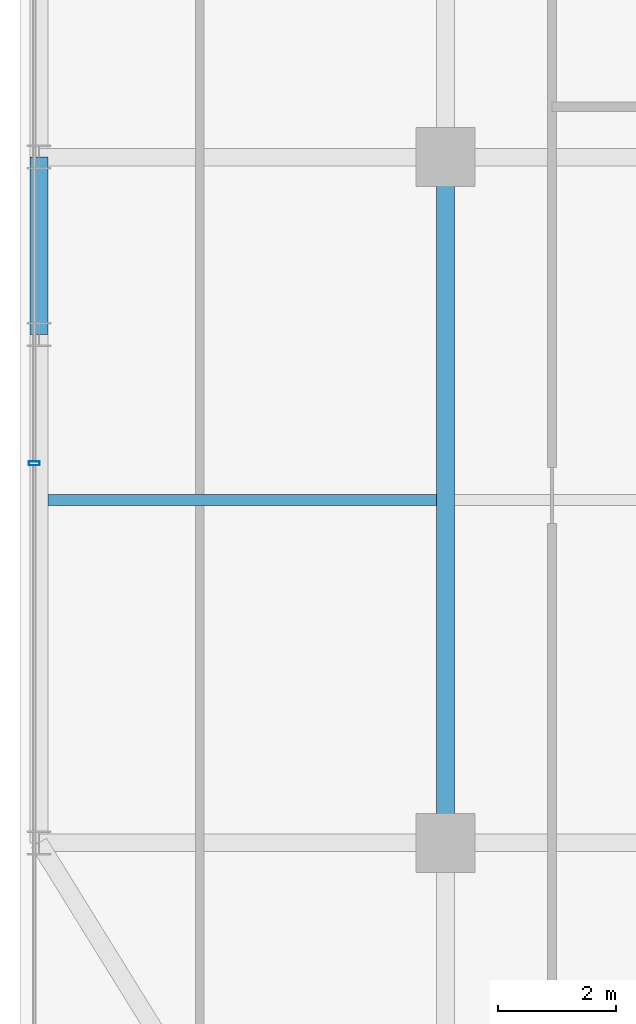
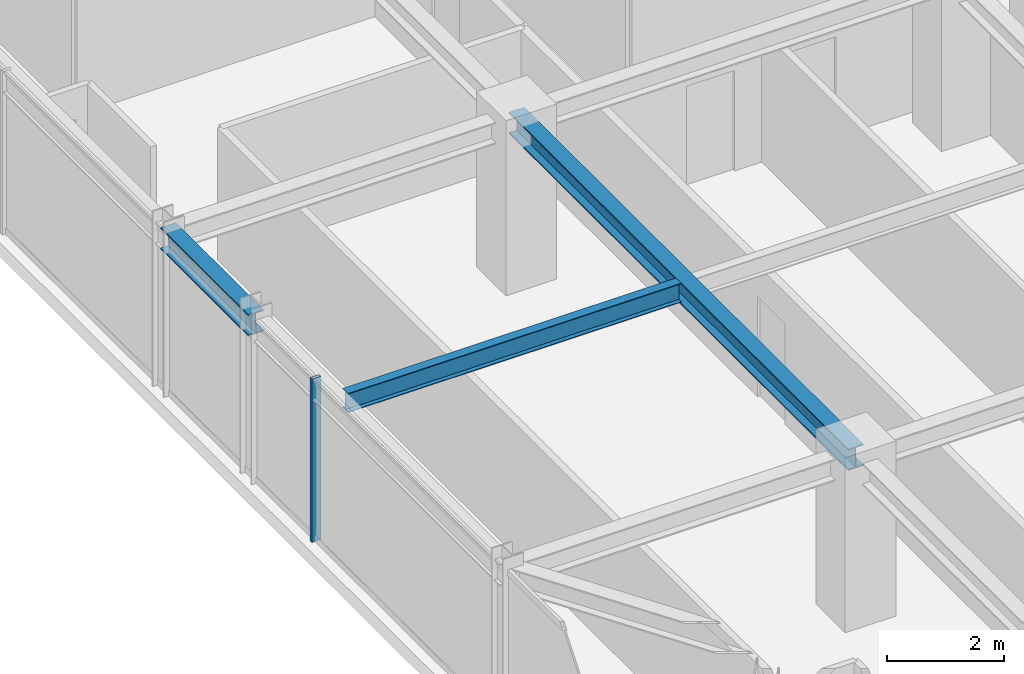
# One storey, part 8 of 34: 3 beams, 1 member, 1 element without a shape of its own.
"""IFC4 building model written with IfcOpenShell, lengths in metres."""

from ifc_helpers import new_model, si_unit, direction, frame, origin, origin_2d, place, context, subcontext, project, spatial, hollow_rectangle, i_section, extrude, source, transform, mapped, material, material_profile, profile_set, type_object, element, aggregate, save


model = new_model("IFC4")

# Units and contexts
model_context = context("Model", 3, precision=1e-05, world=origin(), true_north=direction((0.0, 1.0)))
body_context = subcontext(model_context, "Body", "Model", "MODEL_VIEW")
ifc_project = project(units=[si_unit("LENGTHUNIT", "METRE"), si_unit("AREAUNIT", "SQUARE_METRE"), si_unit("VOLUMEUNIT", "CUBIC_METRE"), si_unit("PLANEANGLEUNIT", "RADIAN"), si_unit("MASSUNIT", "GRAM", prefix="KILO")], contexts=[model_context])

# Site, building, storey
site_placement = place(None, origin())
site = spatial("IfcSite", under=ifc_project, at=site_placement, CompositionType="ELEMENT")
building_placement = place(site_placement, origin())
building = spatial("IfcBuilding", under=site, at=building_placement, Name="Nahalor Promenade Grand Hotel", CompositionType="ELEMENT")
storey_placement = place(building_placement, frame((0.0, 0.0, 208.60009765625)))
storey = spatial("IfcBuildingStorey", under=building, at=storey_placement, Name="L53", CompositionType="ELEMENT", Elevation=208.60009765625)

# Beams
ifc_material_1 = material(Name="Steel S355JR", Category="steel")
ifc_material_profile_1 = material_profile(ifc_material_1, i_section(OverallWidth=0.3, OverallDepth=0.45, WebThickness=0.014, FlangeThickness=0.026, at=origin_2d()), Name="HEB 450")
ifc_profile_set_1 = profile_set([ifc_material_profile_1], Name="Steel S355JR")
beam_type_1 = type_object("IfcBeamType", Name="Beam-Spandrel-HEB450", PredefinedType="SPANDREL", material=ifc_profile_set_1)
shared_shape_1 = source(origin(), body_context, "Body", "SweptSolid", [
    extrude(i_section(OverallWidth=0.3, OverallDepth=0.45, WebThickness=0.014, FlangeThickness=0.026, at=origin_2d()), origin(), (0.0, 0.0, 1.0), 3.0),
])
beam_1_placement = place(storey_placement, frame((-23.8798828125, -8.39990234375, 3.184814453125), z_axis=(0.0, 1.0, 0.0), x_axis=(-1.0, 0.0, 0.0)))
element("IfcBeam", 1, at=beam_1_placement, inside=storey, type_object=beam_type_1, Name="BM-L53-SP-W-1", PredefinedType="SPANDREL", context=body_context, shape_type="MappedRepresentation", body=[
    mapped(shared_shape_1, transform((0.0, 0.0, 0.0), scale=1.0)),
])
ifc_material_profile_2 = material_profile(ifc_material_1, i_section(OverallWidth=0.3, OverallDepth=0.45, WebThickness=0.014, FlangeThickness=0.026, at=origin_2d()), Name="HEB 450")
ifc_profile_set_2 = profile_set([ifc_material_profile_2], Name="Steel S355JR")
beam_type_2 = type_object("IfcBeamType", Name="Beam-Girder-HEB450", PredefinedType="BEAM", material=ifc_profile_set_2)
shared_shape_2 = source(origin(), body_context, "Body", "SweptSolid", [
    extrude(i_section(OverallWidth=0.3, OverallDepth=0.45, WebThickness=0.014, FlangeThickness=0.026, at=origin_2d()), origin(), (0.0, 0.0, 1.0), 11.60009765625),
])
beam_2_placement = place(storey_placement, frame((-17.0, -17.0, 3.184814453125), z_axis=(0.0, 1.0, 0.0), x_axis=(-1.0, 0.0, 0.0)))
element("IfcBeam", 2, at=beam_2_placement, inside=storey, type_object=beam_type_2, Name="BM-L53-GY-0-1", PredefinedType="BEAM", context=body_context, shape_type="MappedRepresentation", body=[
    mapped(shared_shape_2, transform((0.0, 0.0, 0.0), scale=1.0)),
])
ifc_material_profile_3 = material_profile(ifc_material_1, i_section(OverallWidth=0.18, OverallDepth=0.4, WebThickness=0.0086, FlangeThickness=0.0135, at=origin_2d()), Name="IPE 400")
ifc_profile_set_3 = profile_set([ifc_material_profile_3], Name="Steel S355JR")
beam_type_3 = type_object("IfcBeamType", Name="Beam-Joist-IPE400", PredefinedType="JOIST", material=ifc_profile_set_3)
shared_shape_3 = source(origin(), body_context, "Body", "SweptSolid", [
    extrude(i_section(OverallWidth=0.18, OverallDepth=0.4, WebThickness=0.0086, FlangeThickness=0.0135, at=origin_2d()), origin(), (0.0, 0.0, 1.0), 6.580078125),
])
beam_3_placement = place(storey_placement, frame((-23.72998046875, -11.199951171875, 3.2099609375), z_axis=(1.0, 0.0, 0.0), x_axis=(0.0, 1.0, 0.0)))
element("IfcBeam", 3, at=beam_3_placement, inside=storey, type_object=beam_type_3, Name="BM-L53-JSW-0-0", PredefinedType="JOIST", context=body_context, shape_type="MappedRepresentation", body=[
    mapped(shared_shape_3, transform((0.0, 0.0, 0.0), scale=1.0)),
])

# Curtain wall, member
ifc_material_2 = material(Name="Anodised Bronze Aluminium EN AW-6063 T6", Category="aluminium")
curtain_wall_type = type_object("IfcCurtainWallType", Name="CW2 Typical Hotel Flush Bronze Unitised Curtain Wall", PredefinedType="USERDEFINED", material=ifc_material_2)
curtain_wall_placement = place(storey_placement, origin())
curtain_wall = element("IfcCurtainWall", 4, at=curtain_wall_placement, inside=storey, type_object=curtain_wall_type, Name="L53 Curtain Wall CW-L53-W-1", ObjectType="UNITISED_CURTAIN_WALL", PredefinedType="USERDEFINED")
ifc_material_profile_4 = material_profile(ifc_material_2, hollow_rectangle(XDim=0.065, YDim=0.18, WallThickness=0.004, at=origin_2d()), Name="CWM 65x180x4")
ifc_profile_set_4 = profile_set([ifc_material_profile_4], Name="Anodised Bronze Aluminium EN AW-6063 T6")
member_type = type_object("IfcMemberType", Name="CWM2 Typical Bronze Mullion 65x180", PredefinedType="MULLION", material=ifc_profile_set_4)
shared_shape_4 = source(origin(), body_context, "Body", "SweptSolid", [
    extrude(hollow_rectangle(XDim=0.065, YDim=0.18, WallThickness=0.004, at=origin_2d()), origin(), (0.0, 0.0, 1.0), 3.409912109375),
])
member_placement = place(storey_placement, frame((-23.9599609375, -10.580078125, 0.0), z_axis=(0.0, 0.0, 1.0), x_axis=(0.0, 1.0, 0.0)))
member = element("IfcMember", 5, at=member_placement, type_object=member_type, Name="CW-L53-W-1 Mullion 1", PredefinedType="MULLION", context=body_context, shape_type="MappedRepresentation", body=[
    mapped(shared_shape_4, transform((0.0, 0.0, 0.0), scale=1.0)),
])
aggregate(curtain_wall, [member])

save(model, "model.ifc")
